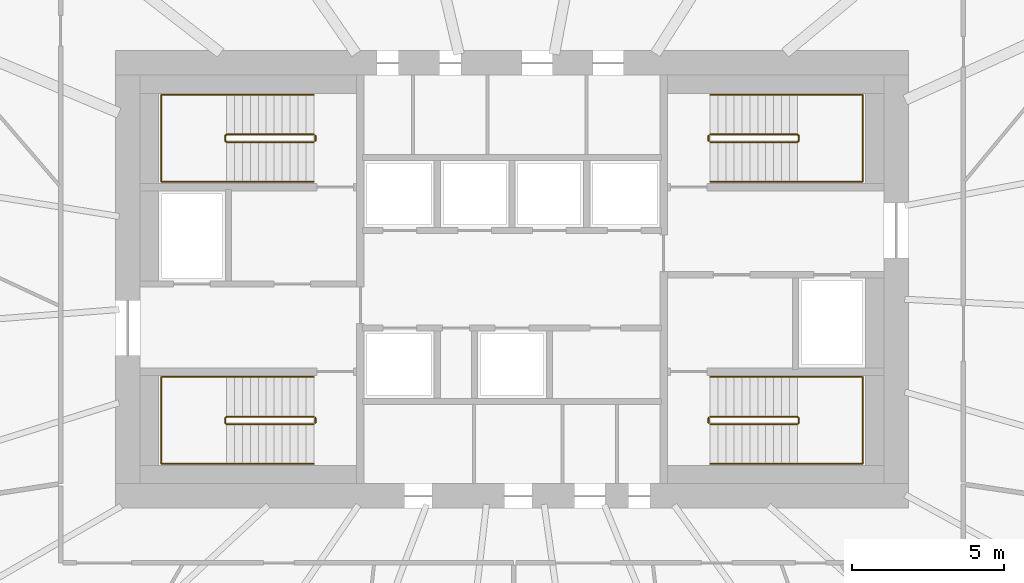
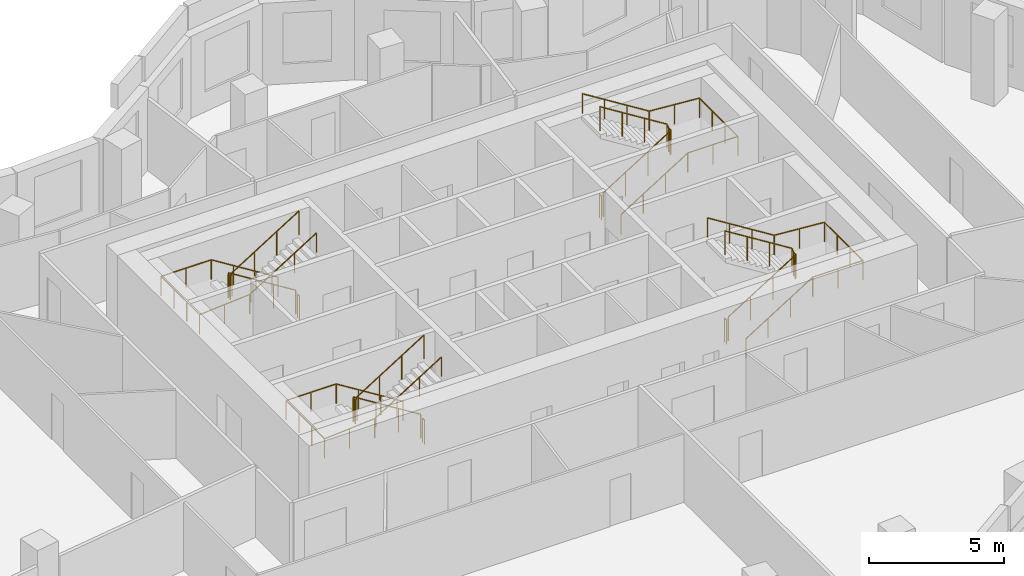
# One storey, part 9 of 9: 12 railings.
"""IFC4 building model written with IfcOpenShell, lengths in metres."""

import ifcopenshell
import ifcopenshell.guid

model = None  # the IFC model being written
_history = None  # IfcOwnerHistory: only IFC2X3 demands one
_inside = {}  # id of a spatial element -> (the spatial element, [elements in it])
_under = {}  # id of a project, library or spatial element -> (it, [spatial elements below it])
_declared = {}  # id of a project -> (the project, [libraries it declares])
_typed = {}  # id of a type object -> (the type object, [elements of that type])
_made_of = {}  # id of a material, layer set ... -> (it, [elements and type objects made of it])


def new_model(schema):
    """Start an empty IFC model of exactly this schema.

    Asked for "IFC4X3", IfcOpenShell would pick the latest addendum, in which some entities
    have other attributes; the version numbers below select the first issue.
    IFC2X3 requires an IfcOwnerHistory on every rooted entity: one is made here for all.
    """
    global model, _history
    if schema == "IFC4X3":
        model = ifcopenshell.file(schema_version=(4, 3, 0, 0))
    else:
        model = ifcopenshell.file(schema=schema)
    _inside.clear()
    _under.clear()
    _declared.clear()
    _typed.clear()
    _made_of.clear()
    _history = None
    if model.schema == "IFC2X3":
        org = make("IfcOrganization", Name="unknown")
        user = make(
            "IfcPersonAndOrganization",
            ThePerson=make("IfcPerson", FamilyName="unknown"),
            TheOrganization=org,
        )
        app = make(
            "IfcApplication",
            ApplicationDeveloper=org,
            Version="unknown",
            ApplicationFullName="unknown",
            ApplicationIdentifier="unknown",
        )
        _history = make(
            "IfcOwnerHistory",
            OwningUser=user,
            OwningApplication=app,
            ChangeAction="ADDED",
            CreationDate=0,
        )
    return model


def make(cls, **values):
    """One entity of the class cls with the attributes given. An attribute that is None is left unset."""
    return model.create_entity(
        cls, **{name: value for name, value in values.items() if value is not None}
    )


def rooted(cls, **values):
    """An entity with a GlobalId (a new one), such as an element, a storey or a relation."""
    return make(cls, GlobalId=ifcopenshell.guid.new(), OwnerHistory=_history, **values)


def si_unit(unit_type, name, prefix=None):
    """IfcSIUnit, for example si_unit("LENGTHUNIT", "METRE", prefix="MILLI")."""
    return make("IfcSIUnit", UnitType=unit_type, Prefix=prefix, Name=name)


def assignment(units):
    """IfcUnitAssignment: the units of a project."""
    return None if units is None else make("IfcUnitAssignment", Units=units)


def point(xyz):
    """IfcCartesianPoint."""
    return None if xyz is None else make("IfcCartesianPoint", Coordinates=xyz)


def direction(xyz):
    """IfcDirection."""
    return None if xyz is None else make("IfcDirection", DirectionRatios=xyz)


def frame(location, z_axis=None, x_axis=None):
    """IfcAxis2Placement3D, a coordinate frame: its origin and axes. An axis left out is left unset."""
    return make(
        "IfcAxis2Placement3D",
        Location=point(location),
        Axis=direction(z_axis),
        RefDirection=direction(x_axis),
    )


def frame_2d(location, x_axis=None):
    """IfcAxis2Placement2D, a coordinate frame in the plane: its origin and x axis."""
    return make(
        "IfcAxis2Placement2D", Location=point(location), RefDirection=direction(x_axis)
    )


def origin():
    """The frame at (0, 0, 0) with its axes left unset."""
    return frame((0.0, 0.0, 0.0))


def origin_2d():
    """The frame at (0, 0) in the plane with its x axis left unset."""
    return frame_2d((0.0, 0.0))


def place(relative_to, where):
    """IfcLocalPlacement: puts the frame where relative to a parent placement (None: the world)."""
    return make(
        "IfcLocalPlacement", PlacementRelTo=relative_to, RelativePlacement=where
    )


def context(
    kind, dimensions, precision=None, world=None, true_north=None, identifier=None
):
    """IfcGeometricRepresentationContext, for example the 3D "Model" context."""
    return make(
        "IfcGeometricRepresentationContext",
        ContextIdentifier=identifier,
        ContextType=kind,
        CoordinateSpaceDimension=dimensions,
        Precision=precision,
        WorldCoordinateSystem=world,
        TrueNorth=true_north,
    )


def subcontext(parent, identifier, kind, view, scale=None):
    """IfcGeometricRepresentationSubContext, for example "Body" below "Model"."""
    return make(
        "IfcGeometricRepresentationSubContext",
        ContextIdentifier=identifier,
        ContextType=kind,
        ParentContext=parent,
        TargetScale=scale,
        TargetView=view,
    )


def project(units=None, contexts=None):
    """IfcProject with its units and contexts."""
    return rooted(
        "IfcProject",
        Name="project",
        RepresentationContexts=contexts,
        UnitsInContext=assignment(units),
    )


def spatial(cls, under=None, at=None, **own):
    """A site, building, storey or space (cls), placed at a placement, below another one or the project."""
    s = rooted(cls, ObjectPlacement=at, **own)
    if under is not None:
        _under.setdefault(under.id(), (under, []))[1].append(s)
    return s


def profile(cls, at=None, kind="AREA", **sizes):
    """A parametric profile (cls). Its sizes go by their IFC names, for example OverallWidth=200.0."""
    return make(cls, ProfileType=kind, Position=at, **sizes)


def circle(**sizes):
    """IfcCircleProfileDef."""
    return profile("IfcCircleProfileDef", **sizes)


def extrude(swept, where, along, depth):
    """IfcExtrudedAreaSolid: the profile swept, set in the frame where, extruded along a direction by depth."""
    return make(
        "IfcExtrudedAreaSolid",
        SweptArea=swept,
        Position=where,
        ExtrudedDirection=direction(along),
        Depth=depth,
    )


def shape(context_of_items, identifier, shape_type, items):
    """IfcShapeRepresentation: the items that make up one representation, for example the "Body"."""
    return make(
        "IfcShapeRepresentation",
        ContextOfItems=context_of_items,
        RepresentationIdentifier=identifier,
        RepresentationType=shape_type,
        Items=items,
    )


def material(Name=None, Category=None):
    """IfcMaterial."""
    return make("IfcMaterial", Name=Name, Category=Category)


def made_of(thing, what):
    """Note that an element or type object is made of a material, layer set ...; save() writes the relation."""
    if what is not None:
        _made_of.setdefault(what.id(), (what, []))[1].append(thing)
    return thing


def type_object(cls, material=None, **own):
    """A type object (cls), such as IfcWallType, which elements share."""
    return made_of(rooted(cls, **own), material)


def element(
    cls,
    number,
    at=None,
    inside=None,
    cuts=None,
    type_object=None,
    material=None,
    context=None,
    identifier="Body",
    shape_type=None,
    held_by="IfcProductDefinitionShape",
    body=None,
    shapes=None,
    **own,
):
    """One element of the class cls, such as IfcWall. Its Tag is "e" and its number.

    at: its placement. inside: the storey or other place that contains it. cuts: it is an
    opening in that element (IfcRelVoidsElement). A single representation is given by context,
    identifier, shape_type and body (its items); several are given by shapes. held_by: the class
    of the entity that holds the representations. save() writes the other relations.
    """
    e = rooted(cls, Tag="e%d" % number, ObjectPlacement=at, **own)
    if body is not None:
        shapes = [shape(context, identifier, shape_type, body)]
    if shapes is not None:
        e.Representation = make(held_by, Representations=shapes)
    if inside is not None:
        _inside.setdefault(inside.id(), (inside, []))[1].append(e)
    if cuts is not None:
        rooted(
            "IfcRelVoidsElement", RelatingBuildingElement=cuts, RelatedOpeningElement=e
        )
    if type_object is not None:
        _typed.setdefault(type_object.id(), (type_object, []))[1].append(e)
    return made_of(e, material)


def aggregate(whole, parts):
    """IfcRelAggregates: a whole, such as a stair, and the parts it consists of."""
    return rooted("IfcRelAggregates", RelatingObject=whole, RelatedObjects=parts)


def save(model, path):
    """Write the relations noted so far, then the file.

    IfcRelAggregates (storeys below a building ...), IfcRelContainedInSpatialStructure (elements
    in a storey), IfcRelDefinesByType, IfcRelAssociatesMaterial and IfcRelDeclares: one each for
    every whole, place, type object, material and project.
    """
    for whole, parts in _under.values():
        aggregate(whole, parts)
    for where, things in _inside.values():
        rooted(
            "IfcRelContainedInSpatialStructure",
            RelatedElements=things,
            RelatingStructure=where,
        )
    for kind, things in _typed.values():
        rooted("IfcRelDefinesByType", RelatedObjects=things, RelatingType=kind)
    for what, things in _made_of.values():
        rooted("IfcRelAssociatesMaterial", RelatedObjects=things, RelatingMaterial=what)
    for by, libraries in _declared.values():
        rooted("IfcRelDeclares", RelatingContext=by, RelatedDefinitions=libraries)
    model.write(path)


model = new_model("IFC4")

# Units and contexts
model_context = context("Model", 3, precision=1e-05, world=origin(), true_north=direction((0.0, 1.0)))
body_context = subcontext(model_context, "Body", "Model", "MODEL_VIEW")
ifc_project = project(units=[si_unit("LENGTHUNIT", "METRE"), si_unit("AREAUNIT", "SQUARE_METRE"), si_unit("VOLUMEUNIT", "CUBIC_METRE"), si_unit("PLANEANGLEUNIT", "RADIAN"), si_unit("MASSUNIT", "GRAM", prefix="KILO")], contexts=[model_context])

# Site, building, storey
site_placement = place(None, origin())
site = spatial("IfcSite", under=ifc_project, at=site_placement, CompositionType="ELEMENT")
building_placement = place(site_placement, origin())
building = spatial("IfcBuilding", under=site, at=building_placement, Name="Rubra Terraces Tower", CompositionType="ELEMENT")
storey_placement = place(building_placement, frame((0.0, 0.0, 229.199951171875)))
storey = spatial("IfcBuildingStorey", under=building, at=storey_placement, Name="L56", CompositionType="ELEMENT", Elevation=229.199951171875)

# Railings
ifc_material = material(Name="Stainless steel", Category="steel")
railing_type_1 = type_object("IfcRailingType", Name="Core stair guard 1100", PredefinedType="GUARDRAIL", material=ifc_material)
railing_1_placement = place(storey_placement, frame((-6.5, 0.0, 0.16259765625)))
element("IfcRailing", 1, at=railing_1_placement, inside=storey, type_object=railing_type_1, Name="L56 stair S1 guard 1", PredefinedType="GUARDRAIL", context=body_context, shape_type="SweptSolid", body=[
    extrude(circle(Radius=0.02392578125, at=origin_2d()), frame((0.0, 0.0, 1.076171875), z_axis=(-0.848026770018, 0.0, 0.529953391661), x_axis=(0.0, -1.0, 0.0)), (0.0, 0.0, 1.0), 3.37255859375),
    extrude(circle(Radius=0.02392578125, at=origin_2d()), frame((-2.860107421875, 0.0, 2.86328125), z_axis=(-0.705375805398, -0.708833529934, 0.0), x_axis=(0.708833529934, -0.705375805398, 0.0)), (0.0, 0.0, 1.0), 0.070556640625),
    extrude(circle(Radius=0.02392578125, at=origin_2d()), frame((-2.909912109375, -0.050048828125, 2.86328125), z_axis=(0.0, -1.0, 0.0), x_axis=(1.0, 0.0, 0.0)), (0.0, 0.0, 1.0), 0.14990234375),
    extrude(circle(Radius=0.02392578125, at=origin_2d()), frame((-2.909912109375, -0.199951171875, 2.86328125), z_axis=(0.280959487676, -0.282336740067, 0.917250092119), x_axis=(0.708833529934, 0.705375805398, 0.0)), (0.0, 0.0, 1.0), 0.17724609375),
    extrude(circle(Radius=0.02392578125, at=origin_2d()), frame((-2.860107421875, -0.25, 3.02587890625), z_axis=(0.847994237388, 0.0, 0.530005446535), x_axis=(0.0, 1.0, 0.0)), (0.0, 0.0, 1.0), 3.372802734375),
    extrude(circle(Radius=0.02099609375, at=origin_2d()), origin(), (0.0, 0.0, 1.0), 1.052001953125),
    extrude(circle(Radius=0.02099609375, at=origin_2d()), frame((-0.953369140625, 0.0, 0.595703125)), (0.0, 0.0, 1.0), 1.052001953125),
    extrude(circle(Radius=0.02099609375, at=origin_2d()), frame((-1.90673828125, 0.0, 1.191650390625)), (0.0, 0.0, 1.0), 1.052001953125),
    extrude(circle(Radius=0.02099609375, at=origin_2d()), frame((-2.860107421875, 0.0, 1.787353515625)), (0.0, 0.0, 1.0), 1.052001953125),
    extrude(circle(Radius=0.02099609375, at=origin_2d()), frame((-2.909912109375, -0.050048828125, 1.787353515625)), (0.0, 0.0, 1.0), 1.052001953125),
    extrude(circle(Radius=0.02099609375, at=origin_2d()), frame((-2.909912109375, -0.199951171875, 1.787353515625)), (0.0, 0.0, 1.0), 1.052001953125),
    extrude(circle(Radius=0.02099609375, at=origin_2d()), frame((-2.860107421875, -0.25, 1.949951171875)), (0.0, 0.0, 1.0), 1.052001953125),
    extrude(circle(Radius=0.02099609375, at=origin_2d()), frame((-1.90673828125, -0.25, 2.5458984375)), (0.0, 0.0, 1.0), 1.052001953125),
    extrude(circle(Radius=0.02099609375, at=origin_2d()), frame((-0.953369140625, -0.25, 3.1416015625)), (0.0, 0.0, 1.0), 1.052001953125),
    extrude(circle(Radius=0.02099609375, at=origin_2d()), frame((0.0, -0.25, 3.737548828125)), (0.0, 0.0, 1.0), 1.052001953125),
])
railing_2_placement = place(storey_placement, frame((-6.449951171875, -0.050048828125, 0.0)))
element("IfcRailing", 2, at=railing_2_placement, inside=storey, type_object=railing_type_1, Name="L56 stair S1 guard 2", PredefinedType="GUARDRAIL", context=body_context, shape_type="SweptSolid", body=[
    extrude(circle(Radius=0.02392578125, at=origin_2d()), frame((0.0, 0.0, 1.076171875), z_axis=(0.0, -1.0, 0.0), x_axis=(1.0, 0.0, 0.0)), (0.0, 0.0, 1.0), 0.14990234375),
    extrude(circle(Radius=0.02099609375, at=origin_2d()), origin(), (0.0, 0.0, 1.0), 1.052001953125),
    extrude(circle(Radius=0.02099609375, at=origin_2d()), frame((0.0, -0.14990234375, 0.0)), (0.0, 0.0, 1.0), 1.052001953125),
])
railing_3_placement = place(storey_placement, frame((-6.5, 9.25, 0.16259765625)))
element("IfcRailing", 3, at=railing_3_placement, inside=storey, type_object=railing_type_1, Name="L56 stair S2 guard 1", PredefinedType="GUARDRAIL", context=body_context, shape_type="SweptSolid", body=[
    extrude(circle(Radius=0.02392578125, at=origin_2d()), frame((0.0, 0.0, 1.076171875), z_axis=(-0.848026770018, 0.0, 0.529953391661), x_axis=(0.0, -1.0, 0.0)), (0.0, 0.0, 1.0), 3.37255859375),
    extrude(circle(Radius=0.02392578125, at=origin_2d()), frame((-2.860107421875, 0.0, 2.86328125), z_axis=(-0.705375805398, -0.708833529934, 0.0), x_axis=(0.708833529934, -0.705375805398, 0.0)), (0.0, 0.0, 1.0), 0.070556640625),
    extrude(circle(Radius=0.02392578125, at=origin_2d()), frame((-2.909912109375, -0.050048828125, 2.86328125), z_axis=(0.0, -1.0, 0.0), x_axis=(1.0, 0.0, 0.0)), (0.0, 0.0, 1.0), 0.14990234375),
    extrude(circle(Radius=0.02392578125, at=origin_2d()), frame((-2.909912109375, -0.199951171875, 2.86328125), z_axis=(0.280959487676, -0.282336740067, 0.917250092119), x_axis=(0.708833529934, 0.705375805398, 0.0)), (0.0, 0.0, 1.0), 0.17724609375),
    extrude(circle(Radius=0.02392578125, at=origin_2d()), frame((-2.860107421875, -0.25, 3.02587890625), z_axis=(0.847994237388, 0.0, 0.530005446535), x_axis=(0.0, 1.0, 0.0)), (0.0, 0.0, 1.0), 3.372802734375),
    extrude(circle(Radius=0.02099609375, at=origin_2d()), origin(), (0.0, 0.0, 1.0), 1.052001953125),
    extrude(circle(Radius=0.02099609375, at=origin_2d()), frame((-0.953369140625, 0.0, 0.595703125)), (0.0, 0.0, 1.0), 1.052001953125),
    extrude(circle(Radius=0.02099609375, at=origin_2d()), frame((-1.90673828125, 0.0, 1.191650390625)), (0.0, 0.0, 1.0), 1.052001953125),
    extrude(circle(Radius=0.02099609375, at=origin_2d()), frame((-2.860107421875, 0.0, 1.787353515625)), (0.0, 0.0, 1.0), 1.052001953125),
    extrude(circle(Radius=0.02099609375, at=origin_2d()), frame((-2.909912109375, -0.050048828125, 1.787353515625)), (0.0, 0.0, 1.0), 1.052001953125),
    extrude(circle(Radius=0.02099609375, at=origin_2d()), frame((-2.909912109375, -0.199951171875, 1.787353515625)), (0.0, 0.0, 1.0), 1.052001953125),
    extrude(circle(Radius=0.02099609375, at=origin_2d()), frame((-2.860107421875, -0.25, 1.949951171875)), (0.0, 0.0, 1.0), 1.052001953125),
    extrude(circle(Radius=0.02099609375, at=origin_2d()), frame((-1.90673828125, -0.25, 2.5458984375)), (0.0, 0.0, 1.0), 1.052001953125),
    extrude(circle(Radius=0.02099609375, at=origin_2d()), frame((-0.953369140625, -0.25, 3.1416015625)), (0.0, 0.0, 1.0), 1.052001953125),
    extrude(circle(Radius=0.02099609375, at=origin_2d()), frame((0.0, -0.25, 3.737548828125)), (0.0, 0.0, 1.0), 1.052001953125),
])
railing_4_placement = place(storey_placement, frame((-6.449951171875, 9.199951171875, 0.0)))
element("IfcRailing", 4, at=railing_4_placement, inside=storey, type_object=railing_type_1, Name="L56 stair S2 guard 2", PredefinedType="GUARDRAIL", context=body_context, shape_type="SweptSolid", body=[
    extrude(circle(Radius=0.02392578125, at=origin_2d()), frame((0.0, 0.0, 1.076171875), z_axis=(0.0, -1.0, 0.0), x_axis=(1.0, 0.0, 0.0)), (0.0, 0.0, 1.0), 0.14990234375),
    extrude(circle(Radius=0.02099609375, at=origin_2d()), origin(), (0.0, 0.0, 1.0), 1.052001953125),
    extrude(circle(Radius=0.02099609375, at=origin_2d()), frame((0.0, -0.14990234375, 0.0)), (0.0, 0.0, 1.0), 1.052001953125),
])
railing_5_placement = place(storey_placement, frame((6.5, 9.0, 0.16259765625)))
element("IfcRailing", 5, at=railing_5_placement, inside=storey, type_object=railing_type_1, Name="L56 stair S3 guard 1", PredefinedType="GUARDRAIL", context=body_context, shape_type="SweptSolid", body=[
    extrude(circle(Radius=0.02392578125, at=origin_2d()), frame((0.0, 0.0, 1.076171875), z_axis=(0.848026770018, 0.0, 0.529953391661), x_axis=(0.0, 1.0, 0.0)), (0.0, 0.0, 1.0), 3.37255859375),
    extrude(circle(Radius=0.02392578125, at=origin_2d()), frame((2.860107421875, 0.0, 2.86328125), z_axis=(0.705375805398, 0.708833529934, 0.0), x_axis=(-0.708833529934, 0.705375805398, 0.0)), (0.0, 0.0, 1.0), 0.070556640625),
    extrude(circle(Radius=0.02392578125, at=origin_2d()), frame((2.909912109375, 0.050048828125, 2.86328125), z_axis=(0.0, 1.0, 0.0), x_axis=(-1.0, 0.0, 0.0)), (0.0, 0.0, 1.0), 0.14990234375),
    extrude(circle(Radius=0.02392578125, at=origin_2d()), frame((2.909912109375, 0.199951171875, 2.86328125), z_axis=(-0.280959487676, 0.282336740067, 0.917250092119), x_axis=(-0.708833529934, -0.705375805398, 0.0)), (0.0, 0.0, 1.0), 0.17724609375),
    extrude(circle(Radius=0.02392578125, at=origin_2d()), frame((2.860107421875, 0.25, 3.02587890625), z_axis=(-0.847994237388, 0.0, 0.530005446535), x_axis=(0.0, -1.0, 0.0)), (0.0, 0.0, 1.0), 3.372802734375),
    extrude(circle(Radius=0.02099609375, at=origin_2d()), origin(), (0.0, 0.0, 1.0), 1.052001953125),
    extrude(circle(Radius=0.02099609375, at=origin_2d()), frame((0.953369140625, 0.0, 0.595703125)), (0.0, 0.0, 1.0), 1.052001953125),
    extrude(circle(Radius=0.02099609375, at=origin_2d()), frame((1.90673828125, 0.0, 1.191650390625)), (0.0, 0.0, 1.0), 1.052001953125),
    extrude(circle(Radius=0.02099609375, at=origin_2d()), frame((2.860107421875, 0.0, 1.787353515625)), (0.0, 0.0, 1.0), 1.052001953125),
    extrude(circle(Radius=0.02099609375, at=origin_2d()), frame((2.909912109375, 0.050048828125, 1.787353515625)), (0.0, 0.0, 1.0), 1.052001953125),
    extrude(circle(Radius=0.02099609375, at=origin_2d()), frame((2.909912109375, 0.199951171875, 1.787353515625)), (0.0, 0.0, 1.0), 1.052001953125),
    extrude(circle(Radius=0.02099609375, at=origin_2d()), frame((2.860107421875, 0.25, 1.949951171875)), (0.0, 0.0, 1.0), 1.052001953125),
    extrude(circle(Radius=0.02099609375, at=origin_2d()), frame((1.90673828125, 0.25, 2.5458984375)), (0.0, 0.0, 1.0), 1.052001953125),
    extrude(circle(Radius=0.02099609375, at=origin_2d()), frame((0.953369140625, 0.25, 3.1416015625)), (0.0, 0.0, 1.0), 1.052001953125),
    extrude(circle(Radius=0.02099609375, at=origin_2d()), frame((0.0, 0.25, 3.737548828125)), (0.0, 0.0, 1.0), 1.052001953125),
])
railing_6_placement = place(storey_placement, frame((6.449951171875, 9.050048828125, 0.0)))
element("IfcRailing", 6, at=railing_6_placement, inside=storey, type_object=railing_type_1, Name="L56 stair S3 guard 2", PredefinedType="GUARDRAIL", context=body_context, shape_type="SweptSolid", body=[
    extrude(circle(Radius=0.02392578125, at=origin_2d()), frame((0.0, 0.0, 1.076171875), z_axis=(0.0, 1.0, 0.0), x_axis=(-1.0, 0.0, 0.0)), (0.0, 0.0, 1.0), 0.14990234375),
    extrude(circle(Radius=0.02099609375, at=origin_2d()), origin(), (0.0, 0.0, 1.0), 1.052001953125),
    extrude(circle(Radius=0.02099609375, at=origin_2d()), frame((0.0, 0.14990234375, 0.0)), (0.0, 0.0, 1.0), 1.052001953125),
])
railing_7_placement = place(storey_placement, frame((6.5, -0.25, 0.16259765625)))
element("IfcRailing", 7, at=railing_7_placement, inside=storey, type_object=railing_type_1, Name="L56 stair S4 guard 1", PredefinedType="GUARDRAIL", context=body_context, shape_type="SweptSolid", body=[
    extrude(circle(Radius=0.02392578125, at=origin_2d()), frame((0.0, 0.0, 1.076171875), z_axis=(0.848026770018, 0.0, 0.529953391661), x_axis=(0.0, 1.0, 0.0)), (0.0, 0.0, 1.0), 3.37255859375),
    extrude(circle(Radius=0.02392578125, at=origin_2d()), frame((2.860107421875, 0.0, 2.86328125), z_axis=(0.705375805398, 0.708833529934, 0.0), x_axis=(-0.708833529934, 0.705375805398, 0.0)), (0.0, 0.0, 1.0), 0.070556640625),
    extrude(circle(Radius=0.02392578125, at=origin_2d()), frame((2.909912109375, 0.050048828125, 2.86328125), z_axis=(0.0, 1.0, 0.0), x_axis=(-1.0, 0.0, 0.0)), (0.0, 0.0, 1.0), 0.14990234375),
    extrude(circle(Radius=0.02392578125, at=origin_2d()), frame((2.909912109375, 0.199951171875, 2.86328125), z_axis=(-0.280959487676, 0.282336740067, 0.917250092119), x_axis=(-0.708833529934, -0.705375805398, 0.0)), (0.0, 0.0, 1.0), 0.17724609375),
    extrude(circle(Radius=0.02392578125, at=origin_2d()), frame((2.860107421875, 0.25, 3.02587890625), z_axis=(-0.847994237388, 0.0, 0.530005446535), x_axis=(0.0, -1.0, 0.0)), (0.0, 0.0, 1.0), 3.372802734375),
    extrude(circle(Radius=0.02099609375, at=origin_2d()), origin(), (0.0, 0.0, 1.0), 1.052001953125),
    extrude(circle(Radius=0.02099609375, at=origin_2d()), frame((0.953369140625, 0.0, 0.595703125)), (0.0, 0.0, 1.0), 1.052001953125),
    extrude(circle(Radius=0.02099609375, at=origin_2d()), frame((1.90673828125, 0.0, 1.191650390625)), (0.0, 0.0, 1.0), 1.052001953125),
    extrude(circle(Radius=0.02099609375, at=origin_2d()), frame((2.860107421875, 0.0, 1.787353515625)), (0.0, 0.0, 1.0), 1.052001953125),
    extrude(circle(Radius=0.02099609375, at=origin_2d()), frame((2.909912109375, 0.050048828125, 1.787353515625)), (0.0, 0.0, 1.0), 1.052001953125),
    extrude(circle(Radius=0.02099609375, at=origin_2d()), frame((2.909912109375, 0.199951171875, 1.787353515625)), (0.0, 0.0, 1.0), 1.052001953125),
    extrude(circle(Radius=0.02099609375, at=origin_2d()), frame((2.860107421875, 0.25, 1.949951171875)), (0.0, 0.0, 1.0), 1.052001953125),
    extrude(circle(Radius=0.02099609375, at=origin_2d()), frame((1.90673828125, 0.25, 2.5458984375)), (0.0, 0.0, 1.0), 1.052001953125),
    extrude(circle(Radius=0.02099609375, at=origin_2d()), frame((0.953369140625, 0.25, 3.1416015625)), (0.0, 0.0, 1.0), 1.052001953125),
    extrude(circle(Radius=0.02099609375, at=origin_2d()), frame((0.0, 0.25, 3.737548828125)), (0.0, 0.0, 1.0), 1.052001953125),
])
railing_8_placement = place(storey_placement, frame((6.449951171875, -0.199951171875, 0.0)))
element("IfcRailing", 8, at=railing_8_placement, inside=storey, type_object=railing_type_1, Name="L56 stair S4 guard 2", PredefinedType="GUARDRAIL", context=body_context, shape_type="SweptSolid", body=[
    extrude(circle(Radius=0.02392578125, at=origin_2d()), frame((0.0, 0.0, 1.076171875), z_axis=(0.0, 1.0, 0.0), x_axis=(-1.0, 0.0, 0.0)), (0.0, 0.0, 1.0), 0.14990234375),
    extrude(circle(Radius=0.02099609375, at=origin_2d()), origin(), (0.0, 0.0, 1.0), 1.052001953125),
    extrude(circle(Radius=0.02099609375, at=origin_2d()), frame((0.0, 0.14990234375, 0.0)), (0.0, 0.0, 1.0), 1.052001953125),
])
railing_type_2 = type_object("IfcRailingType", Name="Core stair handrail 900", PredefinedType="HANDRAIL", material=ifc_material)
railing_9_placement = place(storey_placement, frame((-6.5, 1.300048828125, 0.16259765625)))
element("IfcRailing", 9, at=railing_9_placement, inside=storey, type_object=railing_type_2, Name="L56 stair S1 handrail 1", PredefinedType="HANDRAIL", context=body_context, shape_type="SweptSolid", body=[
    extrude(circle(Radius=0.02392578125, at=origin_2d()), frame((0.0, 0.0, 0.8759765625), z_axis=(-0.848026770018, 0.0, 0.529953391661), x_axis=(0.0, -1.0, 0.0)), (0.0, 0.0, 1.0), 3.37255859375),
    extrude(circle(Radius=0.02392578125, at=origin_2d()), frame((-2.860107421875, 0.0, 2.6630859375), z_axis=(-1.0, 0.0, 0.0), x_axis=(0.0, -1.0, 0.0)), (0.0, 0.0, 1.0), 2.139892578125),
    extrude(circle(Radius=0.02392578125, at=origin_2d()), frame((-5.0, 0.0, 2.6630859375), z_axis=(0.0, -1.0, 0.0), x_axis=(1.0, 0.0, 0.0)), (0.0, 0.0, 1.0), 2.85009765625),
    extrude(circle(Radius=0.02392578125, at=origin_2d()), frame((-5.0, -2.85009765625, 2.6630859375), z_axis=(0.997125654253, 0.0, 0.075765623016), x_axis=(0.0, 1.0, 0.0)), (0.0, 0.0, 1.0), 2.14599609375),
    extrude(circle(Radius=0.02392578125, at=origin_2d()), frame((-2.860107421875, -2.85009765625, 2.82568359375), z_axis=(0.847994237388, 0.0, 0.530005446535), x_axis=(0.0, 1.0, 0.0)), (0.0, 0.0, 1.0), 3.372802734375),
    extrude(circle(Radius=0.02099609375, at=origin_2d()), origin(), (0.0, 0.0, 1.0), 0.851806640625),
    extrude(circle(Radius=0.02099609375, at=origin_2d()), frame((-0.953369140625, 0.0, 0.595703125)), (0.0, 0.0, 1.0), 0.851806640625),
    extrude(circle(Radius=0.02099609375, at=origin_2d()), frame((-1.90673828125, 0.0, 1.191650390625)), (0.0, 0.0, 1.0), 0.851806640625),
    extrude(circle(Radius=0.02099609375, at=origin_2d()), frame((-2.860107421875, 0.0, 1.787353515625)), (0.0, 0.0, 1.0), 0.851806640625),
    extrude(circle(Radius=0.02099609375, at=origin_2d()), frame((-3.93017578125, 0.0, 1.787353515625)), (0.0, 0.0, 1.0), 0.851806640625),
    extrude(circle(Radius=0.02099609375, at=origin_2d()), frame((-5.0, 0.0, 1.787353515625)), (0.0, 0.0, 1.0), 0.851806640625),
    extrude(circle(Radius=0.02099609375, at=origin_2d()), frame((-5.0, -0.949951171875, 1.787353515625)), (0.0, 0.0, 1.0), 0.851806640625),
    extrude(circle(Radius=0.02099609375, at=origin_2d()), frame((-5.0, -1.900146484375, 1.787353515625)), (0.0, 0.0, 1.0), 0.851806640625),
    extrude(circle(Radius=0.02099609375, at=origin_2d()), frame((-5.0, -2.85009765625, 1.787353515625)), (0.0, 0.0, 1.0), 0.851806640625),
    extrude(circle(Radius=0.02099609375, at=origin_2d()), frame((-3.93017578125, -2.85009765625, 1.86865234375)), (0.0, 0.0, 1.0), 0.851806640625),
    extrude(circle(Radius=0.02099609375, at=origin_2d()), frame((-2.860107421875, -2.85009765625, 1.949951171875)), (0.0, 0.0, 1.0), 0.851806640625),
    extrude(circle(Radius=0.02099609375, at=origin_2d()), frame((-1.90673828125, -2.85009765625, 2.5458984375)), (0.0, 0.0, 1.0), 0.851806640625),
    extrude(circle(Radius=0.02099609375, at=origin_2d()), frame((-0.953369140625, -2.85009765625, 3.1416015625)), (0.0, 0.0, 1.0), 0.851806640625),
    extrude(circle(Radius=0.02099609375, at=origin_2d()), frame((0.0, -2.85009765625, 3.737548828125)), (0.0, 0.0, 1.0), 0.851806640625),
])
railing_10_placement = place(storey_placement, frame((-6.5, 10.550048828125, 0.16259765625)))
element("IfcRailing", 10, at=railing_10_placement, inside=storey, type_object=railing_type_2, Name="L56 stair S2 handrail 1", PredefinedType="HANDRAIL", context=body_context, shape_type="SweptSolid", body=[
    extrude(circle(Radius=0.02392578125, at=origin_2d()), frame((0.0, 0.0, 0.8759765625), z_axis=(-0.848026770018, 0.0, 0.529953391661), x_axis=(0.0, -1.0, 0.0)), (0.0, 0.0, 1.0), 3.37255859375),
    extrude(circle(Radius=0.02392578125, at=origin_2d()), frame((-2.860107421875, 0.0, 2.6630859375), z_axis=(-1.0, 0.0, 0.0), x_axis=(0.0, -1.0, 0.0)), (0.0, 0.0, 1.0), 2.139892578125),
    extrude(circle(Radius=0.02392578125, at=origin_2d()), frame((-5.0, 0.0, 2.6630859375), z_axis=(0.0, -1.0, 0.0), x_axis=(1.0, 0.0, 0.0)), (0.0, 0.0, 1.0), 2.85009765625),
    extrude(circle(Radius=0.02392578125, at=origin_2d()), frame((-5.0, -2.85009765625, 2.6630859375), z_axis=(0.997125654253, 0.0, 0.075765623016), x_axis=(0.0, 1.0, 0.0)), (0.0, 0.0, 1.0), 2.14599609375),
    extrude(circle(Radius=0.02392578125, at=origin_2d()), frame((-2.860107421875, -2.85009765625, 2.82568359375), z_axis=(0.847994237388, 0.0, 0.530005446535), x_axis=(0.0, 1.0, 0.0)), (0.0, 0.0, 1.0), 3.372802734375),
    extrude(circle(Radius=0.02099609375, at=origin_2d()), origin(), (0.0, 0.0, 1.0), 0.851806640625),
    extrude(circle(Radius=0.02099609375, at=origin_2d()), frame((-0.953369140625, 0.0, 0.595703125)), (0.0, 0.0, 1.0), 0.851806640625),
    extrude(circle(Radius=0.02099609375, at=origin_2d()), frame((-1.90673828125, 0.0, 1.191650390625)), (0.0, 0.0, 1.0), 0.851806640625),
    extrude(circle(Radius=0.02099609375, at=origin_2d()), frame((-2.860107421875, 0.0, 1.787353515625)), (0.0, 0.0, 1.0), 0.851806640625),
    extrude(circle(Radius=0.02099609375, at=origin_2d()), frame((-3.93017578125, 0.0, 1.787353515625)), (0.0, 0.0, 1.0), 0.851806640625),
    extrude(circle(Radius=0.02099609375, at=origin_2d()), frame((-5.0, 0.0, 1.787353515625)), (0.0, 0.0, 1.0), 0.851806640625),
    extrude(circle(Radius=0.02099609375, at=origin_2d()), frame((-5.0, -0.949951171875, 1.787353515625)), (0.0, 0.0, 1.0), 0.851806640625),
    extrude(circle(Radius=0.02099609375, at=origin_2d()), frame((-5.0, -1.900146484375, 1.787353515625)), (0.0, 0.0, 1.0), 0.851806640625),
    extrude(circle(Radius=0.02099609375, at=origin_2d()), frame((-5.0, -2.85009765625, 1.787353515625)), (0.0, 0.0, 1.0), 0.851806640625),
    extrude(circle(Radius=0.02099609375, at=origin_2d()), frame((-3.93017578125, -2.85009765625, 1.86865234375)), (0.0, 0.0, 1.0), 0.851806640625),
    extrude(circle(Radius=0.02099609375, at=origin_2d()), frame((-2.860107421875, -2.85009765625, 1.949951171875)), (0.0, 0.0, 1.0), 0.851806640625),
    extrude(circle(Radius=0.02099609375, at=origin_2d()), frame((-1.90673828125, -2.85009765625, 2.5458984375)), (0.0, 0.0, 1.0), 0.851806640625),
    extrude(circle(Radius=0.02099609375, at=origin_2d()), frame((-0.953369140625, -2.85009765625, 3.1416015625)), (0.0, 0.0, 1.0), 0.851806640625),
    extrude(circle(Radius=0.02099609375, at=origin_2d()), frame((0.0, -2.85009765625, 3.737548828125)), (0.0, 0.0, 1.0), 0.851806640625),
])
railing_11_placement = place(storey_placement, frame((6.5, 7.699951171875, 0.16259765625)))
element("IfcRailing", 11, at=railing_11_placement, inside=storey, type_object=railing_type_2, Name="L56 stair S3 handrail 1", PredefinedType="HANDRAIL", context=body_context, shape_type="SweptSolid", body=[
    extrude(circle(Radius=0.02392578125, at=origin_2d()), frame((0.0, 0.0, 0.8759765625), z_axis=(0.848026770018, 0.0, 0.529953391661), x_axis=(0.0, 1.0, 0.0)), (0.0, 0.0, 1.0), 3.37255859375),
    extrude(circle(Radius=0.02392578125, at=origin_2d()), frame((2.860107421875, 0.0, 2.6630859375), z_axis=(1.0, 0.0, 0.0), x_axis=(0.0, 1.0, 0.0)), (0.0, 0.0, 1.0), 2.139892578125),
    extrude(circle(Radius=0.02392578125, at=origin_2d()), frame((5.0, 0.0, 2.6630859375), z_axis=(0.0, 1.0, 0.0), x_axis=(-1.0, 0.0, 0.0)), (0.0, 0.0, 1.0), 2.85009765625),
    extrude(circle(Radius=0.02392578125, at=origin_2d()), frame((5.0, 2.85009765625, 2.6630859375), z_axis=(-0.997125654253, 0.0, 0.075765623016), x_axis=(0.0, -1.0, 0.0)), (0.0, 0.0, 1.0), 2.14599609375),
    extrude(circle(Radius=0.02392578125, at=origin_2d()), frame((2.860107421875, 2.85009765625, 2.82568359375), z_axis=(-0.847994237388, 0.0, 0.530005446535), x_axis=(0.0, -1.0, 0.0)), (0.0, 0.0, 1.0), 3.372802734375),
    extrude(circle(Radius=0.02099609375, at=origin_2d()), origin(), (0.0, 0.0, 1.0), 0.851806640625),
    extrude(circle(Radius=0.02099609375, at=origin_2d()), frame((0.953369140625, 0.0, 0.595703125)), (0.0, 0.0, 1.0), 0.851806640625),
    extrude(circle(Radius=0.02099609375, at=origin_2d()), frame((1.90673828125, 0.0, 1.191650390625)), (0.0, 0.0, 1.0), 0.851806640625),
    extrude(circle(Radius=0.02099609375, at=origin_2d()), frame((2.860107421875, 0.0, 1.787353515625)), (0.0, 0.0, 1.0), 0.851806640625),
    extrude(circle(Radius=0.02099609375, at=origin_2d()), frame((3.93017578125, 0.0, 1.787353515625)), (0.0, 0.0, 1.0), 0.851806640625),
    extrude(circle(Radius=0.02099609375, at=origin_2d()), frame((5.0, 0.0, 1.787353515625)), (0.0, 0.0, 1.0), 0.851806640625),
    extrude(circle(Radius=0.02099609375, at=origin_2d()), frame((5.0, 0.949951171875, 1.787353515625)), (0.0, 0.0, 1.0), 0.851806640625),
    extrude(circle(Radius=0.02099609375, at=origin_2d()), frame((5.0, 1.900146484375, 1.787353515625)), (0.0, 0.0, 1.0), 0.851806640625),
    extrude(circle(Radius=0.02099609375, at=origin_2d()), frame((5.0, 2.85009765625, 1.787353515625)), (0.0, 0.0, 1.0), 0.851806640625),
    extrude(circle(Radius=0.02099609375, at=origin_2d()), frame((3.93017578125, 2.85009765625, 1.86865234375)), (0.0, 0.0, 1.0), 0.851806640625),
    extrude(circle(Radius=0.02099609375, at=origin_2d()), frame((2.860107421875, 2.85009765625, 1.949951171875)), (0.0, 0.0, 1.0), 0.851806640625),
    extrude(circle(Radius=0.02099609375, at=origin_2d()), frame((1.90673828125, 2.85009765625, 2.5458984375)), (0.0, 0.0, 1.0), 0.851806640625),
    extrude(circle(Radius=0.02099609375, at=origin_2d()), frame((0.953369140625, 2.85009765625, 3.1416015625)), (0.0, 0.0, 1.0), 0.851806640625),
    extrude(circle(Radius=0.02099609375, at=origin_2d()), frame((0.0, 2.85009765625, 3.737548828125)), (0.0, 0.0, 1.0), 0.851806640625),
])
railing_12_placement = place(storey_placement, frame((6.5, -1.550048828125, 0.16259765625)))
element("IfcRailing", 12, at=railing_12_placement, inside=storey, type_object=railing_type_2, Name="L56 stair S4 handrail 1", PredefinedType="HANDRAIL", context=body_context, shape_type="SweptSolid", body=[
    extrude(circle(Radius=0.02392578125, at=origin_2d()), frame((0.0, 0.0, 0.8759765625), z_axis=(0.848026770018, 0.0, 0.529953391661), x_axis=(0.0, 1.0, 0.0)), (0.0, 0.0, 1.0), 3.37255859375),
    extrude(circle(Radius=0.02392578125, at=origin_2d()), frame((2.860107421875, 0.0, 2.6630859375), z_axis=(1.0, 0.0, 0.0), x_axis=(0.0, 1.0, 0.0)), (0.0, 0.0, 1.0), 2.139892578125),
    extrude(circle(Radius=0.02392578125, at=origin_2d()), frame((5.0, 0.0, 2.6630859375), z_axis=(0.0, 1.0, 0.0), x_axis=(-1.0, 0.0, 0.0)), (0.0, 0.0, 1.0), 2.85009765625),
    extrude(circle(Radius=0.02392578125, at=origin_2d()), frame((5.0, 2.85009765625, 2.6630859375), z_axis=(-0.997125654253, 0.0, 0.075765623016), x_axis=(0.0, -1.0, 0.0)), (0.0, 0.0, 1.0), 2.14599609375),
    extrude(circle(Radius=0.02392578125, at=origin_2d()), frame((2.860107421875, 2.85009765625, 2.82568359375), z_axis=(-0.847994237388, 0.0, 0.530005446535), x_axis=(0.0, -1.0, 0.0)), (0.0, 0.0, 1.0), 3.372802734375),
    extrude(circle(Radius=0.02099609375, at=origin_2d()), origin(), (0.0, 0.0, 1.0), 0.851806640625),
    extrude(circle(Radius=0.02099609375, at=origin_2d()), frame((0.953369140625, 0.0, 0.595703125)), (0.0, 0.0, 1.0), 0.851806640625),
    extrude(circle(Radius=0.02099609375, at=origin_2d()), frame((1.90673828125, 0.0, 1.191650390625)), (0.0, 0.0, 1.0), 0.851806640625),
    extrude(circle(Radius=0.02099609375, at=origin_2d()), frame((2.860107421875, 0.0, 1.787353515625)), (0.0, 0.0, 1.0), 0.851806640625),
    extrude(circle(Radius=0.02099609375, at=origin_2d()), frame((3.93017578125, 0.0, 1.787353515625)), (0.0, 0.0, 1.0), 0.851806640625),
    extrude(circle(Radius=0.02099609375, at=origin_2d()), frame((5.0, 0.0, 1.787353515625)), (0.0, 0.0, 1.0), 0.851806640625),
    extrude(circle(Radius=0.02099609375, at=origin_2d()), frame((5.0, 0.949951171875, 1.787353515625)), (0.0, 0.0, 1.0), 0.851806640625),
    extrude(circle(Radius=0.02099609375, at=origin_2d()), frame((5.0, 1.900146484375, 1.787353515625)), (0.0, 0.0, 1.0), 0.851806640625),
    extrude(circle(Radius=0.02099609375, at=origin_2d()), frame((5.0, 2.85009765625, 1.787353515625)), (0.0, 0.0, 1.0), 0.851806640625),
    extrude(circle(Radius=0.02099609375, at=origin_2d()), frame((3.93017578125, 2.85009765625, 1.86865234375)), (0.0, 0.0, 1.0), 0.851806640625),
    extrude(circle(Radius=0.02099609375, at=origin_2d()), frame((2.860107421875, 2.85009765625, 1.949951171875)), (0.0, 0.0, 1.0), 0.851806640625),
    extrude(circle(Radius=0.02099609375, at=origin_2d()), frame((1.90673828125, 2.85009765625, 2.5458984375)), (0.0, 0.0, 1.0), 0.851806640625),
    extrude(circle(Radius=0.02099609375, at=origin_2d()), frame((0.953369140625, 2.85009765625, 3.1416015625)), (0.0, 0.0, 1.0), 0.851806640625),
    extrude(circle(Radius=0.02099609375, at=origin_2d()), frame((0.0, 2.85009765625, 3.737548828125)), (0.0, 0.0, 1.0), 0.851806640625),
])

save(model, "model.ifc")
